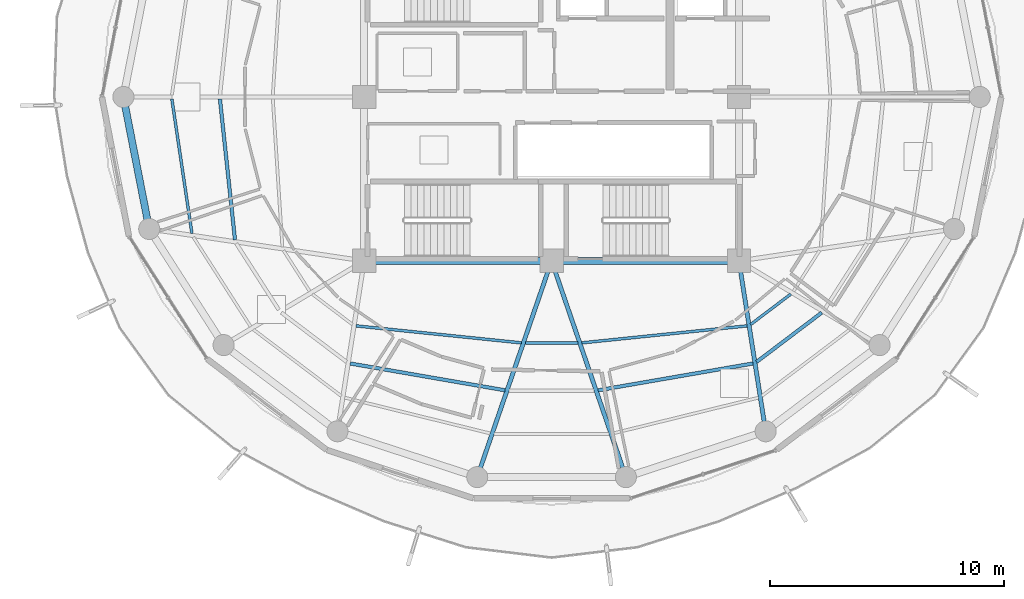
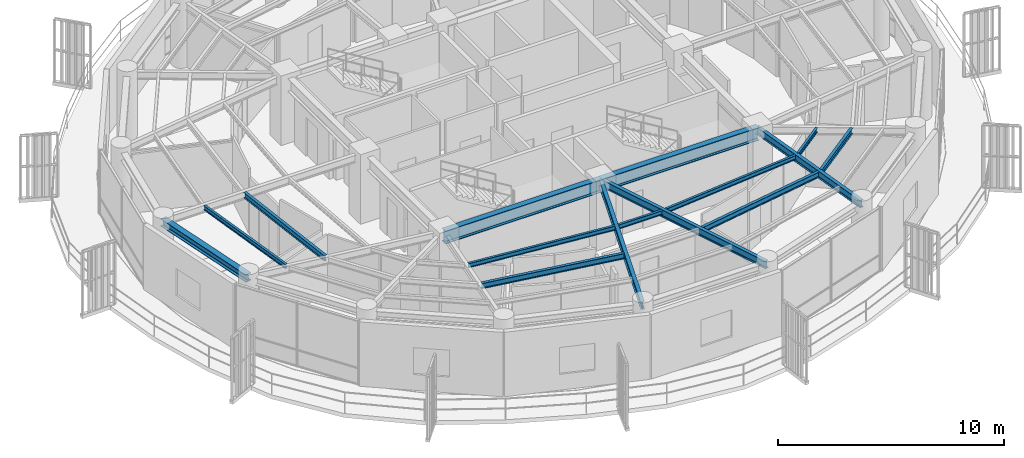
# One storey, part 5 of 23: 15 beams.
"""IFC4 building model written with IfcOpenShell, lengths in metres."""

from ifc_helpers import new_model, si_unit, direction, frame, origin, origin_2d, place, context, subcontext, project, spatial, i_section, extrude, material, material_profile, profile_set, type_object, element, save


model = new_model("IFC4")

# Units and contexts
model_context = context("Model", 3, precision=1e-05, world=origin(), true_north=direction((0.0, 1.0)))
body_context = subcontext(model_context, "Body", "Model", "MODEL_VIEW")
ifc_project = project(units=[si_unit("LENGTHUNIT", "METRE"), si_unit("AREAUNIT", "SQUARE_METRE"), si_unit("VOLUMEUNIT", "CUBIC_METRE"), si_unit("PLANEANGLEUNIT", "RADIAN"), si_unit("MASSUNIT", "GRAM", prefix="KILO")], contexts=[model_context])

# Site, building, storey
site_placement = place(None, origin())
site = spatial("IfcSite", under=ifc_project, at=site_placement, CompositionType="ELEMENT")
building_placement = place(site_placement, origin())
building = spatial("IfcBuilding", under=site, at=building_placement, Name="Kelanora Arch Commons", CompositionType="ELEMENT")
storey_placement = place(building_placement, frame((0.0, 0.0, 252.449951171875)))
storey = spatial("IfcBuildingStorey", under=building, at=storey_placement, Name="L64", CompositionType="ELEMENT", Elevation=252.449951171875)

# Beams
ifc_material = material(Name="Steel S355", Category="steel")
ifc_material_profile_1 = material_profile(ifc_material, i_section(OverallWidth=0.300048828125, OverallDepth=0.699951171875, WebThickness=0.01708984375, FlangeThickness=0.031982421875, FilletRadius=0.027099609375, at=origin_2d()), Name="HEB700")
ifc_profile_set_1 = profile_set([ifc_material_profile_1], Name="Steel S355")
beam_type_1 = type_object("IfcBeamType", Name="BM-CORE-HDR", PredefinedType="BEAM", material=ifc_profile_set_1)
for number, where, z_axis, x_axis, name in (
    (1, (66.0, 51.0, 3.14013671875), (1.0, 0.0, 0.0), (0.0, 1.0, 0.0), "Core Header Beam 01 L64"),
    (2, (74.0, 51.0, 3.14013671875), (1.0, 0.0, 0.0), (0.0, 1.0, 0.0), "Core Header Beam 02 L64"),
):
    element("IfcBeam", number, at=place(storey_placement, frame(where, z_axis=z_axis, x_axis=x_axis)), inside=storey, type_object=beam_type_1, Name=name, PredefinedType="BEAM", context=body_context, shape_type="SweptSolid", body=[
        extrude(i_section(OverallWidth=0.300048828125, OverallDepth=0.699951171875, WebThickness=0.01708984375, FlangeThickness=0.031982421875, FilletRadius=0.027099609375, at=origin_2d()), origin(), (0.0, 0.0, 1.0), 8.0),
    ])
ifc_material_profile_2 = material_profile(ifc_material, i_section(OverallWidth=0.14990234375, OverallDepth=0.300048828125, WebThickness=0.007080078125, FlangeThickness=0.0107421875, FilletRadius=0.014892578125, at=origin_2d()), Name="IPE300")
ifc_profile_set_2 = profile_set([ifc_material_profile_2], Name="Steel S355")
beam_type_2 = type_object("IfcBeamType", Name="BM-JST-01", PredefinedType="JOIST", material=ifc_profile_set_2)
beam_1_placement = place(storey_placement, frame((59.841064453125, 57.91552734375, 3.340087890625), z_axis=(0.106380594087, -0.994325484538, 0.0), x_axis=(0.994325484538, 0.106380594087, 0.0)))
element("IfcBeam", 3, at=beam_1_placement, inside=storey, type_object=beam_type_2, Name="Secondary Chord Joist BJB-18 L64", PredefinedType="JOIST", context=body_context, shape_type="SweptSolid", body=[
    extrude(i_section(OverallWidth=0.14990234375, OverallDepth=0.300048828125, WebThickness=0.007080078125, FlangeThickness=0.0107421875, FilletRadius=0.014892578125, at=origin_2d()), origin(), (0.0, 0.0, 1.0), 6.04736328125),
])
for number, where, z_axis, x_axis, name in (
    (4, (65.39990234375, 46.622314453125, 3.340087890625), (0.985321568263, -0.170708544357, 0.0), (0.170708544357, 0.985321568263, 0.0), "Secondary Chord Joist BJB-24 L64"),
    (5, (75.98828125, 45.476806640625, 3.340087890625), (0.985321568263, 0.170708544357, 0.0), (-0.170708544357, 0.985321568263, 0.0), "Secondary Chord Joist BJB-28 L64"),
):
    element("IfcBeam", number, at=place(storey_placement, frame(where, z_axis=z_axis, x_axis=x_axis)), inside=storey, type_object=beam_type_2, Name=name, PredefinedType="JOIST", context=body_context, shape_type="SweptSolid", body=[
        extrude(i_section(OverallWidth=0.14990234375, OverallDepth=0.300048828125, WebThickness=0.007080078125, FlangeThickness=0.0107421875, FilletRadius=0.014892578125, at=origin_2d()), origin(), (0.0, 0.0, 1.0), 6.710205078125),
    ])
beam_2_placement = place(storey_placement, frame((82.751708984375, 46.68798828125, 3.340087890625), z_axis=(0.797499198801, 0.603320004568, 0.0), x_axis=(-0.603320004568, 0.797499198801, 0.0)))
element("IfcBeam", 6, at=beam_2_placement, inside=storey, type_object=beam_type_2, Name="Secondary Chord Joist BJB-30 L64", PredefinedType="JOIST", context=body_context, shape_type="SweptSolid", body=[
    extrude(i_section(OverallWidth=0.14990234375, OverallDepth=0.300048828125, WebThickness=0.007080078125, FlangeThickness=0.0107421875, FilletRadius=0.014892578125, at=origin_2d()), origin(), (0.0, 0.0, 1.0), 3.489013671875),
])
ifc_material_profile_3 = material_profile(ifc_material, i_section(OverallWidth=0.1201171875, OverallDepth=0.239990234375, WebThickness=0.006103515625, FlangeThickness=0.009765625, FilletRadius=0.014892578125, at=origin_2d()), Name="IPE240")
ifc_profile_set_3 = profile_set([ifc_material_profile_3], Name="Steel S355")
beam_type_3 = type_object("IfcBeamType", Name="BM-JST-02", PredefinedType="JOIST", material=ifc_profile_set_3)
beam_3_placement = place(storey_placement, frame((57.78857421875, 57.916015625, 3.3701171875), z_axis=(0.14762470282, -0.989043450571, 0.0), x_axis=(0.989043450571, 0.14762470282, 0.0)))
element("IfcBeam", 7, at=beam_3_placement, inside=storey, type_object=beam_type_3, Name="Secondary Chord Joist BJC-18 L64", PredefinedType="JOIST", context=body_context, shape_type="SweptSolid", body=[
    extrude(i_section(OverallWidth=0.1201171875, OverallDepth=0.239990234375, WebThickness=0.006103515625, FlangeThickness=0.009765625, FilletRadius=0.014892578125, at=origin_2d()), origin(), (0.0, 0.0, 1.0), 5.804931640625),
])
beam_4_placement = place(storey_placement, frame((65.6513671875, 48.227783203125, 3.3701171875), z_axis=(0.994746545688, -0.102368500239, 0.0), x_axis=(0.102368500239, 0.994746545688, 0.0)))
element("IfcBeam", 8, at=beam_4_placement, inside=storey, type_object=beam_type_3, Name="Secondary Chord Joist BJA-24 L64", PredefinedType="JOIST", context=body_context, shape_type="SweptSolid", body=[
    extrude(i_section(OverallWidth=0.1201171875, OverallDepth=0.239990234375, WebThickness=0.006103515625, FlangeThickness=0.009765625, FilletRadius=0.014892578125, at=origin_2d()), origin(), (0.0, 0.0, 1.0), 7.09521484375),
])
beam_5_placement = place(storey_placement, frame((72.87890625, 47.492919921875, 3.3701171875), z_axis=(1.0, 0.0, 0.0), x_axis=(0.0, 1.0, 0.0)))
element("IfcBeam", 9, at=beam_5_placement, inside=storey, type_object=beam_type_3, Name="Secondary Chord Joist BJA-26 L64", PredefinedType="JOIST", context=body_context, shape_type="SweptSolid", body=[
    extrude(i_section(OverallWidth=0.1201171875, OverallDepth=0.239990234375, WebThickness=0.006103515625, FlangeThickness=0.009765625, FilletRadius=0.014892578125, at=origin_2d()), origin(), (0.0, 0.0, 1.0), 2.2421875),
])
beam_6_placement = place(storey_placement, frame((75.290771484375, 47.50146484375, 3.3701171875), z_axis=(0.994746545688, 0.102368500239, 0.0), x_axis=(-0.102368500239, 0.994746545688, 0.0)))
element("IfcBeam", 10, at=beam_6_placement, inside=storey, type_object=beam_type_3, Name="Secondary Chord Joist BJA-28 L64", PredefinedType="JOIST", context=body_context, shape_type="SweptSolid", body=[
    extrude(i_section(OverallWidth=0.1201171875, OverallDepth=0.239990234375, WebThickness=0.006103515625, FlangeThickness=0.009765625, FilletRadius=0.014892578125, at=origin_2d()), origin(), (0.0, 0.0, 1.0), 7.09521484375),
])
beam_7_placement = place(storey_placement, frame((82.5009765625, 48.287841796875, 3.3701171875), z_axis=(0.797509883882, 0.603305880222, 0.0), x_axis=(-0.603305880222, 0.797509883882, 0.0)))
element("IfcBeam", 11, at=beam_7_placement, inside=storey, type_object=beam_type_3, Name="Secondary Chord Joist BJA-30 L64", PredefinedType="JOIST", context=body_context, shape_type="SweptSolid", body=[
    extrude(i_section(OverallWidth=0.1201171875, OverallDepth=0.239990234375, WebThickness=0.006103515625, FlangeThickness=0.009765625, FilletRadius=0.014892578125, at=origin_2d()), origin(), (0.0, 0.0, 1.0), 2.147216796875),
])
ifc_material_profile_4 = material_profile(ifc_material, i_section(OverallWidth=0.179931640625, OverallDepth=0.39990234375, WebThickness=0.008544921875, FlangeThickness=0.013427734375, FilletRadius=0.02099609375, at=origin_2d()), Name="IPE400")
ifc_profile_set_4 = profile_set([ifc_material_profile_4], Name="Steel S355")
beam_type_4 = type_object("IfcBeamType", Name="BM-RAD-Z5", PredefinedType="BEAM", material=ifc_profile_set_4)
for number, where, z_axis, x_axis, name in (
    (12, (74.0, 51.0, 3.2900390625), (-0.325233562807, -0.945633718532, 0.0), (0.945633718532, -0.325233562807, 0.0), "Radial Floor Girder BR-26 L64"),
    (13, (74.0, 51.0, 3.2900390625), (0.325233562807, -0.945633718532, 0.0), (0.945633718532, 0.325233562807, 0.0), "Radial Floor Girder BR-28 L64"),
):
    element("IfcBeam", number, at=place(storey_placement, frame(where, z_axis=z_axis, x_axis=x_axis)), inside=storey, type_object=beam_type_4, Name=name, PredefinedType="BEAM", context=body_context, shape_type="SweptSolid", body=[
        extrude(i_section(OverallWidth=0.179931640625, OverallDepth=0.39990234375, WebThickness=0.008544921875, FlangeThickness=0.013427734375, FilletRadius=0.02099609375, at=origin_2d()), origin(), (0.0, 0.0, 1.0), 9.760009765625),
    ])
beam_8_placement = place(storey_placement, frame((82.0, 51.0, 3.2900390625), z_axis=(0.154855424129, -0.987937142544, 0.0), x_axis=(0.987937142544, 0.154855424129, 0.0)))
element("IfcBeam", 14, at=beam_8_placement, inside=storey, type_object=beam_type_4, Name="Radial Floor Girder BR-30 L64", PredefinedType="BEAM", context=body_context, shape_type="SweptSolid", body=[
    extrude(i_section(OverallWidth=0.179931640625, OverallDepth=0.39990234375, WebThickness=0.008544921875, FlangeThickness=0.013427734375, FilletRadius=0.02099609375, at=origin_2d()), origin(), (0.0, 0.0, 1.0), 7.361083984375),
])
ifc_material_profile_5 = material_profile(ifc_material, i_section(OverallWidth=0.300048828125, OverallDepth=0.39990234375, WebThickness=0.013427734375, FlangeThickness=0.02392578125, FilletRadius=0.027099609375, at=origin_2d()), Name="HEB400")
ifc_profile_set_5 = profile_set([ifc_material_profile_5], Name="Steel S355")
beam_type_5 = type_object("IfcBeamType", Name="BM-SPN-Z4", PredefinedType="SPANDREL", material=ifc_profile_set_5)
beam_9_placement = place(storey_placement, frame((55.719970703125, 58.0, 3.2900390625), z_axis=(0.191969774604, -0.981400838413, 0.0), x_axis=(0.981400838413, 0.191969774604, 0.0)))
element("IfcBeam", 15, at=beam_9_placement, inside=storey, type_object=beam_type_5, Name="Perimeter Spandrel Beam BS-18 L64", PredefinedType="SPANDREL", context=body_context, shape_type="SweptSolid", body=[
    extrude(i_section(OverallWidth=0.300048828125, OverallDepth=0.39990234375, WebThickness=0.013427734375, FlangeThickness=0.02392578125, FilletRadius=0.027099609375, at=origin_2d()), origin(), (0.0, 0.0, 1.0), 5.743408203125),
])

save(model, "model.ifc")
